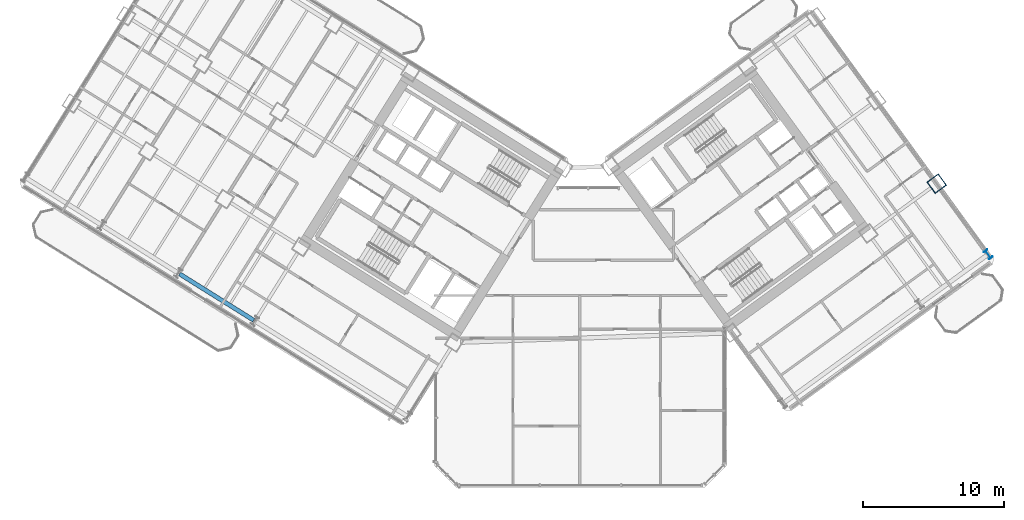
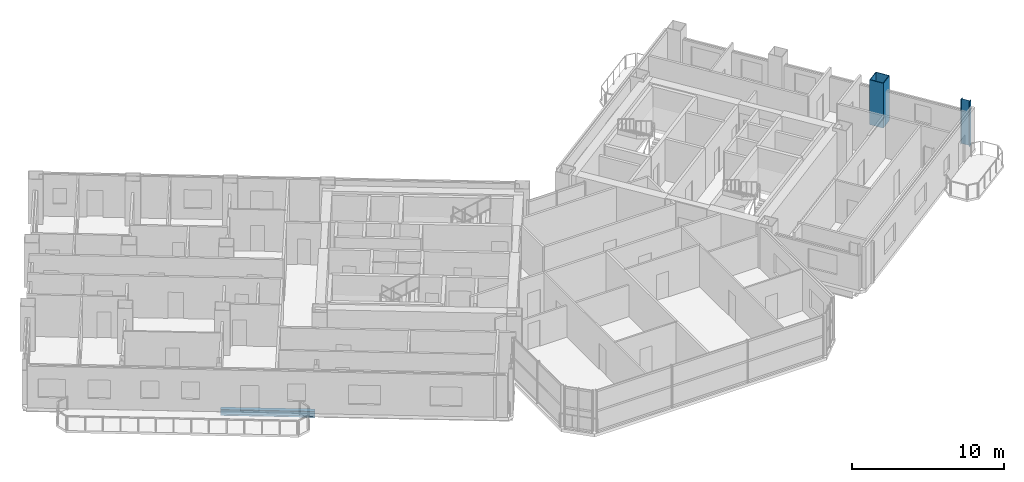
# One storey, part 4 of 28: 2 columns, 1 beam.
"""IFC4 building model written with IfcOpenShell, lengths in metres."""

from ifc_helpers import new_model, si_unit, direction, frame, origin, origin_2d, place, context, subcontext, project, spatial, hollow_rectangle, i_section, extrude, source, transform, mapped, material, material_profile, profile_set, type_object, element, save


model = new_model("IFC4")

# Units and contexts
model_context = context("Model", 3, precision=1e-05, world=origin(), true_north=direction((0.0, 1.0)))
body_context = subcontext(model_context, "Body", "Model", "MODEL_VIEW")
ifc_project = project(units=[si_unit("LENGTHUNIT", "METRE"), si_unit("AREAUNIT", "SQUARE_METRE"), si_unit("VOLUMEUNIT", "CUBIC_METRE"), si_unit("PLANEANGLEUNIT", "RADIAN"), si_unit("MASSUNIT", "GRAM", prefix="KILO")], contexts=[model_context])

# Site, building, storey
site_placement = place(None, origin())
site = spatial("IfcSite", under=ifc_project, at=site_placement, CompositionType="ELEMENT")
building_placement = place(site_placement, origin())
building = spatial("IfcBuilding", under=site, at=building_placement, Name="Tlacorven Tower", CompositionType="ELEMENT")
storey_placement = place(building_placement, frame((0.0, 0.0, 49.199951171875)))
storey = spatial("IfcBuildingStorey", under=building, at=storey_placement, Name="L12", CompositionType="ELEMENT", Elevation=49.199951171875)

# Columns
ifc_material_1 = material(Name="Steel S460M", Category="steel")
ifc_material_profile_1 = material_profile(ifc_material_1, hollow_rectangle(XDim=1.0, YDim=1.0, WallThickness=0.0400390625, at=origin_2d()), Name="BOX 1000X1000X40")
ifc_profile_set_1 = profile_set([ifc_material_profile_1], Name="Steel S460M")
column_type_1 = type_object("IfcColumnType", Name="COL-TWR-S1", PredefinedType="COLUMN", material=ifc_profile_set_1)
shared_shape_1 = source(origin(), body_context, "Body", "SweptSolid", [
    extrude(hollow_rectangle(XDim=1.0, YDim=1.0, WallThickness=0.0400390625, at=origin_2d()), origin(), (0.0, 0.0, 1.0), 3.60009765625),
])
column_1_placement = place(storey_placement, frame((67.267822265625, 23.353515625, 0.0), z_axis=(0.0, 0.0, 1.0), x_axis=(0.809016994375, 0.587785252292, 0.0)))
element("IfcColumn", 1, at=column_1_placement, inside=storey, type_object=column_type_1, Name="L12 column COL-L12-E4-2", PredefinedType="COLUMN", context=body_context, shape_type="MappedRepresentation", body=[
    mapped(shared_shape_1, transform((0.0, 0.0, 0.0), scale=1.0)),
])
ifc_material_profile_2 = material_profile(ifc_material_1, i_section(OverallWidth=0.300048828125, OverallDepth=0.64990234375, WebThickness=0.01611328125, FlangeThickness=0.031005859375, at=origin_2d()), Name="HEB 650")
ifc_profile_set_2 = profile_set([ifc_material_profile_2], Name="Steel S460M")
column_type_2 = type_object("IfcColumnType", Name="COL-TWR-P1", PredefinedType="COLUMN", material=ifc_profile_set_2)
shared_shape_2 = source(origin(), body_context, "Body", "SweptSolid", [
    extrude(i_section(OverallWidth=0.300048828125, OverallDepth=0.64990234375, WebThickness=0.01611328125, FlangeThickness=0.031005859375, at=origin_2d()), origin(), (0.0, 0.0, 1.0), 3.60009765625),
])
column_2_placement = place(storey_placement, frame((70.911865234375, 18.337646484375, 0.0), z_axis=(0.0, 0.0, 1.0), x_axis=(0.809016994375, 0.587785252292, 0.0)))
element("IfcColumn", 2, at=column_2_placement, inside=storey, type_object=column_type_2, Name="L12 column COL-L12-E4-1", PredefinedType="COLUMN", context=body_context, shape_type="MappedRepresentation", body=[
    mapped(shared_shape_2, transform((0.0, 0.0, 0.0), scale=1.0)),
])

# Beam
ifc_material_2 = material(Name="Steel S355J2", Category="steel")
ifc_material_profile_3 = material_profile(ifc_material_2, i_section(OverallWidth=0.300048828125, OverallDepth=0.489990234375, WebThickness=0.011962890625, FlangeThickness=0.02294921875, at=origin_2d()), Name="HEA 500")
ifc_profile_set_3 = profile_set([ifc_material_profile_3], Name="Steel S355J2")
beam_type = type_object("IfcBeamType", Name="BM-SPN-500", PredefinedType="SPANDREL", material=ifc_profile_set_3)
shared_shape_3 = source(origin(), body_context, "Body", "SweptSolid", [
    extrude(i_section(OverallWidth=0.300048828125, OverallDepth=0.489990234375, WebThickness=0.011962890625, FlangeThickness=0.02294921875, at=origin_2d()), origin(), (0.0, 0.0, 1.0), 6.199951171875),
])
beam_placement = place(storey_placement, frame((18.82080078125, 13.6650390625, -0.494873046875), z_axis=(-0.848051394107, 0.529913986372, 0.0), x_axis=(-0.529913986372, -0.848051394107, 0.0)))
element("IfcBeam", 3, at=beam_placement, inside=storey, type_object=beam_type, Name="L12 beam BM-L12-WL4-3", PredefinedType="SPANDREL", context=body_context, shape_type="MappedRepresentation", body=[
    mapped(shared_shape_3, transform((0.0, 0.0, 0.0), scale=1.0)),
])

save(model, "model.ifc")
